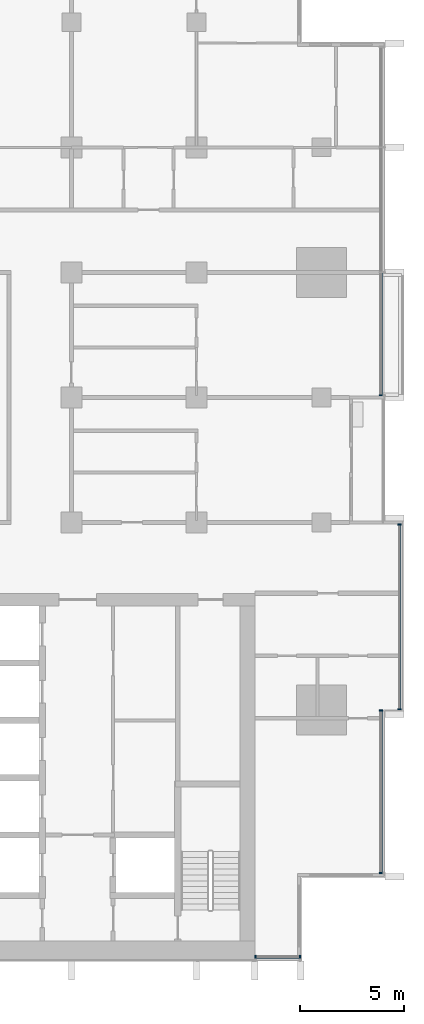
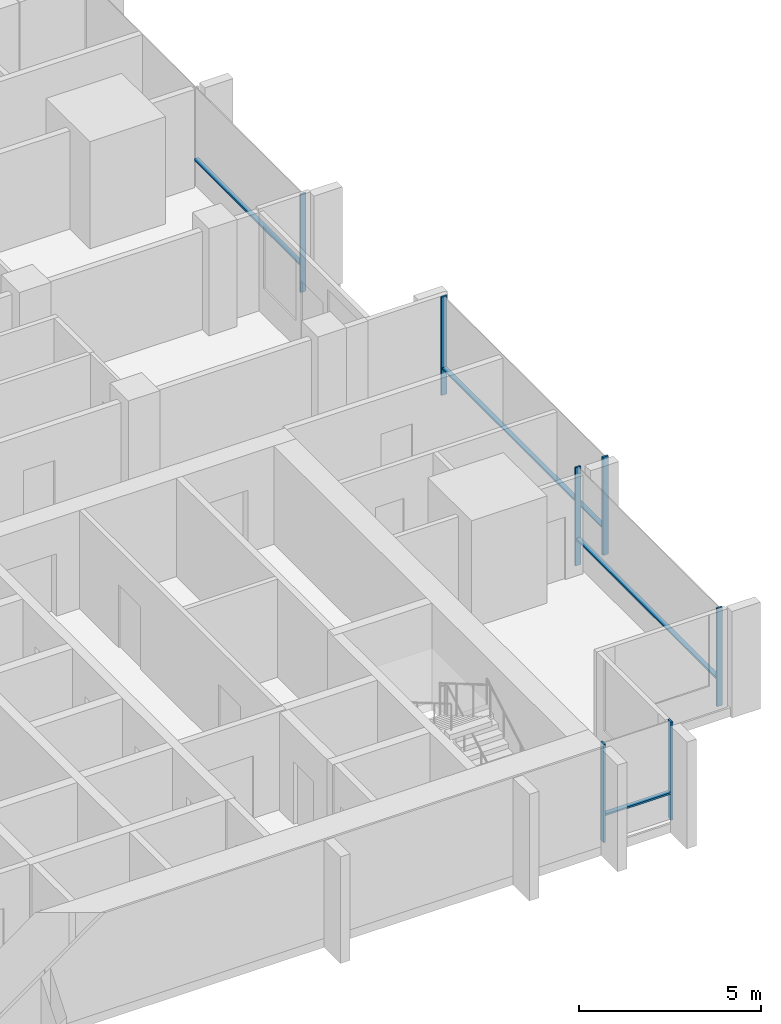
# One storey, part 3 of 16: 11 members, 4 elements without a shape of their own.
"""IFC4 building model written with IfcOpenShell, lengths in metres."""

import ifcopenshell
import ifcopenshell.guid

model = None  # the IFC model being written
_history = None  # IfcOwnerHistory: only IFC2X3 demands one
_inside = {}  # id of a spatial element -> (the spatial element, [elements in it])
_under = {}  # id of a project, library or spatial element -> (it, [spatial elements below it])
_declared = {}  # id of a project -> (the project, [libraries it declares])
_typed = {}  # id of a type object -> (the type object, [elements of that type])
_made_of = {}  # id of a material, layer set ... -> (it, [elements and type objects made of it])


def new_model(schema):
    """Start an empty IFC model of exactly this schema.

    Asked for "IFC4X3", IfcOpenShell would pick the latest addendum, in which some entities
    have other attributes; the version numbers below select the first issue.
    IFC2X3 requires an IfcOwnerHistory on every rooted entity: one is made here for all.
    """
    global model, _history
    if schema == "IFC4X3":
        model = ifcopenshell.file(schema_version=(4, 3, 0, 0))
    else:
        model = ifcopenshell.file(schema=schema)
    _inside.clear()
    _under.clear()
    _declared.clear()
    _typed.clear()
    _made_of.clear()
    _history = None
    if model.schema == "IFC2X3":
        org = make("IfcOrganization", Name="unknown")
        user = make(
            "IfcPersonAndOrganization",
            ThePerson=make("IfcPerson", FamilyName="unknown"),
            TheOrganization=org,
        )
        app = make(
            "IfcApplication",
            ApplicationDeveloper=org,
            Version="unknown",
            ApplicationFullName="unknown",
            ApplicationIdentifier="unknown",
        )
        _history = make(
            "IfcOwnerHistory",
            OwningUser=user,
            OwningApplication=app,
            ChangeAction="ADDED",
            CreationDate=0,
        )
    return model


def make(cls, **values):
    """One entity of the class cls with the attributes given. An attribute that is None is left unset."""
    return model.create_entity(
        cls, **{name: value for name, value in values.items() if value is not None}
    )


def rooted(cls, **values):
    """An entity with a GlobalId (a new one), such as an element, a storey or a relation."""
    return make(cls, GlobalId=ifcopenshell.guid.new(), OwnerHistory=_history, **values)


def si_unit(unit_type, name, prefix=None):
    """IfcSIUnit, for example si_unit("LENGTHUNIT", "METRE", prefix="MILLI")."""
    return make("IfcSIUnit", UnitType=unit_type, Prefix=prefix, Name=name)


def assignment(units):
    """IfcUnitAssignment: the units of a project."""
    return None if units is None else make("IfcUnitAssignment", Units=units)


def point(xyz):
    """IfcCartesianPoint."""
    return None if xyz is None else make("IfcCartesianPoint", Coordinates=xyz)


def direction(xyz):
    """IfcDirection."""
    return None if xyz is None else make("IfcDirection", DirectionRatios=xyz)


def frame(location, z_axis=None, x_axis=None):
    """IfcAxis2Placement3D, a coordinate frame: its origin and axes. An axis left out is left unset."""
    return make(
        "IfcAxis2Placement3D",
        Location=point(location),
        Axis=direction(z_axis),
        RefDirection=direction(x_axis),
    )


def frame_2d(location, x_axis=None):
    """IfcAxis2Placement2D, a coordinate frame in the plane: its origin and x axis."""
    return make(
        "IfcAxis2Placement2D", Location=point(location), RefDirection=direction(x_axis)
    )


def origin():
    """The frame at (0, 0, 0) with its axes left unset."""
    return frame((0.0, 0.0, 0.0))


def origin_2d():
    """The frame at (0, 0) in the plane with its x axis left unset."""
    return frame_2d((0.0, 0.0))


def place(relative_to, where):
    """IfcLocalPlacement: puts the frame where relative to a parent placement (None: the world)."""
    return make(
        "IfcLocalPlacement", PlacementRelTo=relative_to, RelativePlacement=where
    )


def context(
    kind, dimensions, precision=None, world=None, true_north=None, identifier=None
):
    """IfcGeometricRepresentationContext, for example the 3D "Model" context."""
    return make(
        "IfcGeometricRepresentationContext",
        ContextIdentifier=identifier,
        ContextType=kind,
        CoordinateSpaceDimension=dimensions,
        Precision=precision,
        WorldCoordinateSystem=world,
        TrueNorth=true_north,
    )


def subcontext(parent, identifier, kind, view, scale=None):
    """IfcGeometricRepresentationSubContext, for example "Body" below "Model"."""
    return make(
        "IfcGeometricRepresentationSubContext",
        ContextIdentifier=identifier,
        ContextType=kind,
        ParentContext=parent,
        TargetScale=scale,
        TargetView=view,
    )


def project(units=None, contexts=None):
    """IfcProject with its units and contexts."""
    return rooted(
        "IfcProject",
        Name="project",
        RepresentationContexts=contexts,
        UnitsInContext=assignment(units),
    )


def spatial(cls, under=None, at=None, **own):
    """A site, building, storey or space (cls), placed at a placement, below another one or the project."""
    s = rooted(cls, ObjectPlacement=at, **own)
    if under is not None:
        _under.setdefault(under.id(), (under, []))[1].append(s)
    return s


def profile(cls, at=None, kind="AREA", **sizes):
    """A parametric profile (cls). Its sizes go by their IFC names, for example OverallWidth=200.0."""
    return make(cls, ProfileType=kind, Position=at, **sizes)


def rectangle(**sizes):
    """IfcRectangleProfileDef."""
    return profile("IfcRectangleProfileDef", **sizes)


def extrude(swept, where, along, depth):
    """IfcExtrudedAreaSolid: the profile swept, set in the frame where, extruded along a direction by depth."""
    return make(
        "IfcExtrudedAreaSolid",
        SweptArea=swept,
        Position=where,
        ExtrudedDirection=direction(along),
        Depth=depth,
    )


def shape(context_of_items, identifier, shape_type, items):
    """IfcShapeRepresentation: the items that make up one representation, for example the "Body"."""
    return make(
        "IfcShapeRepresentation",
        ContextOfItems=context_of_items,
        RepresentationIdentifier=identifier,
        RepresentationType=shape_type,
        Items=items,
    )


def material(Name=None, Category=None):
    """IfcMaterial."""
    return make("IfcMaterial", Name=Name, Category=Category)


def material_profile(
    of_material, cross_section, Name=None, Category=None, Priority=None
):
    """IfcMaterialProfile: a cross section and its material."""
    return make(
        "IfcMaterialProfile",
        Name=Name,
        Material=of_material,
        Profile=cross_section,
        Priority=Priority,
        Category=Category,
    )


def profile_set(profiles, Name=None, composite=None):
    """IfcMaterialProfileSet."""
    return make(
        "IfcMaterialProfileSet",
        Name=Name,
        MaterialProfiles=profiles,
        CompositeProfile=composite,
    )


def made_of(thing, what):
    """Note that an element or type object is made of a material, layer set ...; save() writes the relation."""
    if what is not None:
        _made_of.setdefault(what.id(), (what, []))[1].append(thing)
    return thing


def type_object(cls, material=None, **own):
    """A type object (cls), such as IfcWallType, which elements share."""
    return made_of(rooted(cls, **own), material)


def element(
    cls,
    number,
    at=None,
    inside=None,
    cuts=None,
    type_object=None,
    material=None,
    context=None,
    identifier="Body",
    shape_type=None,
    held_by="IfcProductDefinitionShape",
    body=None,
    shapes=None,
    **own,
):
    """One element of the class cls, such as IfcWall. Its Tag is "e" and its number.

    at: its placement. inside: the storey or other place that contains it. cuts: it is an
    opening in that element (IfcRelVoidsElement). A single representation is given by context,
    identifier, shape_type and body (its items); several are given by shapes. held_by: the class
    of the entity that holds the representations. save() writes the other relations.
    """
    e = rooted(cls, Tag="e%d" % number, ObjectPlacement=at, **own)
    if body is not None:
        shapes = [shape(context, identifier, shape_type, body)]
    if shapes is not None:
        e.Representation = make(held_by, Representations=shapes)
    if inside is not None:
        _inside.setdefault(inside.id(), (inside, []))[1].append(e)
    if cuts is not None:
        rooted(
            "IfcRelVoidsElement", RelatingBuildingElement=cuts, RelatedOpeningElement=e
        )
    if type_object is not None:
        _typed.setdefault(type_object.id(), (type_object, []))[1].append(e)
    return made_of(e, material)


def aggregate(whole, parts):
    """IfcRelAggregates: a whole, such as a stair, and the parts it consists of."""
    return rooted("IfcRelAggregates", RelatingObject=whole, RelatedObjects=parts)


def save(model, path):
    """Write the relations noted so far, then the file.

    IfcRelAggregates (storeys below a building ...), IfcRelContainedInSpatialStructure (elements
    in a storey), IfcRelDefinesByType, IfcRelAssociatesMaterial and IfcRelDeclares: one each for
    every whole, place, type object, material and project.
    """
    for whole, parts in _under.values():
        aggregate(whole, parts)
    for where, things in _inside.values():
        rooted(
            "IfcRelContainedInSpatialStructure",
            RelatedElements=things,
            RelatingStructure=where,
        )
    for kind, things in _typed.values():
        rooted("IfcRelDefinesByType", RelatedObjects=things, RelatingType=kind)
    for what, things in _made_of.values():
        rooted("IfcRelAssociatesMaterial", RelatedObjects=things, RelatingMaterial=what)
    for by, libraries in _declared.values():
        rooted("IfcRelDeclares", RelatingContext=by, RelatedDefinitions=libraries)
    model.write(path)


model = new_model("IFC4")

# Units and contexts
model_context = context("Model", 3, precision=1e-05, world=origin(), true_north=direction((0.0, 1.0)))
body_context = subcontext(model_context, "Body", "Model", "MODEL_VIEW")
ifc_project = project(units=[si_unit("LENGTHUNIT", "METRE"), si_unit("AREAUNIT", "SQUARE_METRE"), si_unit("VOLUMEUNIT", "CUBIC_METRE"), si_unit("PLANEANGLEUNIT", "RADIAN"), si_unit("MASSUNIT", "GRAM", prefix="KILO")], contexts=[model_context])

# Site, building, storey
site_placement = place(None, origin())
site = spatial("IfcSite", under=ifc_project, at=site_placement, CompositionType="ELEMENT")
building_placement = place(site_placement, origin())
building = spatial("IfcBuilding", under=site, at=building_placement, Name="Finial Court Residences", CompositionType="ELEMENT")
storey_placement = place(building_placement, frame((0.0, 0.0, 163.699951171875)))
storey = spatial("IfcBuildingStorey", under=building, at=storey_placement, Name="L40", CompositionType="ELEMENT", Elevation=163.699951171875)

# Curtain wall, members
ifc_material = material(Name="Bronze anodised aluminium", Category="aluminium")
curtain_wall_type = type_object("IfcCurtainWallType", Name="Unitised curtain wall, upper zones", PredefinedType="NOTDEFINED", material=ifc_material)
curtain_wall_1_placement = place(storey_placement, origin())
curtain_wall_1 = element("IfcCurtainWall", 1, at=curtain_wall_1_placement, inside=storey, type_object=curtain_wall_type, Name="E-L40-CW-E4", PredefinedType="NOTDEFINED")
ifc_material_profile_1 = material_profile(ifc_material, rectangle(XDim=0.175048828125, YDim=0.06005859375, at=origin_2d()), Name="CW2 mullion 60 x 175")
ifc_profile_set_1 = profile_set([ifc_material_profile_1], Name="Bronze anodised aluminium")
member_type_1 = type_object("IfcMemberType", Name="CW2 mullion 60 x 175", PredefinedType="MULLION", material=ifc_profile_set_1)
member_1_placement = place(storey_placement, frame((19.35009765625, -21.320068359375, 0.0), z_axis=(0.0, 0.0, 1.0), x_axis=(-1.0, 0.0, 0.0)))
member_1 = element("IfcMember", 2, at=member_1_placement, type_object=member_type_1, Name="CW2 mullion 1", PredefinedType="MULLION", context=body_context, shape_type="SweptSolid", body=[
    extrude(rectangle(XDim=0.175048828125, YDim=0.06005859375, at=origin_2d()), origin(), (0.0, 0.0, 1.0), 3.300048828125),
])
member_2_placement = place(storey_placement, frame((19.35009765625, -13.530029296875, 0.0), z_axis=(0.0, 0.0, 1.0), x_axis=(-1.0, 0.0, 0.0)))
member_2 = element("IfcMember", 3, at=member_2_placement, type_object=member_type_1, Name="CW2 mullion 2", PredefinedType="MULLION", context=body_context, shape_type="SweptSolid", body=[
    extrude(rectangle(XDim=0.175048828125, YDim=0.06005859375, at=origin_2d()), origin(), (0.0, 0.0, 1.0), 3.300048828125),
])

curtain_wall_2_placement = place(storey_placement, origin())
curtain_wall_2 = element("IfcCurtainWall", 4, at=curtain_wall_2_placement, inside=storey, type_object=curtain_wall_type, Name="E-L40-CW-E5", PredefinedType="NOTDEFINED")
member_3_placement = place(storey_placement, frame((20.25, -13.469970703125, 0.0), z_axis=(0.0, 0.0, 1.0), x_axis=(-1.0, 0.0, 0.0)))
member_3 = element("IfcMember", 5, at=member_3_placement, type_object=member_type_1, Name="CW2 mullion 1", PredefinedType="MULLION", context=body_context, shape_type="SweptSolid", body=[
    extrude(rectangle(XDim=0.175048828125, YDim=0.06005859375, at=origin_2d()), origin(), (0.0, 0.0, 1.0), 3.300048828125),
])
member_4_placement = place(storey_placement, frame((20.25, -4.60498046875, 0.0), z_axis=(0.0, 0.0, 1.0), x_axis=(-1.0, 0.0, 0.0)))
member_4 = element("IfcMember", 6, at=member_4_placement, type_object=member_type_1, Name="CW2 mullion 2", PredefinedType="MULLION", context=body_context, shape_type="SweptSolid", body=[
    extrude(rectangle(XDim=0.175048828125, YDim=0.06005859375, at=origin_2d()), origin(), (0.0, 0.0, 1.0), 3.300048828125),
])

# Curtain wall, member
curtain_wall_3_placement = place(storey_placement, origin())
curtain_wall_3 = element("IfcCurtainWall", 7, at=curtain_wall_3_placement, inside=storey, type_object=curtain_wall_type, Name="E-L40-CW-E6", PredefinedType="NOTDEFINED")
member_5_placement = place(storey_placement, frame((19.35009765625, 1.60498046875, 0.0), z_axis=(0.0, 0.0, 1.0), x_axis=(-1.0, 0.0, 0.0)))
member_5 = element("IfcMember", 8, at=member_5_placement, type_object=member_type_1, Name="CW2 mullion 1", PredefinedType="MULLION", context=body_context, shape_type="SweptSolid", body=[
    extrude(rectangle(XDim=0.175048828125, YDim=0.06005859375, at=origin_2d()), origin(), (0.0, 0.0, 1.0), 3.300048828125),
])

# Curtain wall, members
curtain_wall_4_placement = place(storey_placement, origin())
curtain_wall_4 = element("IfcCurtainWall", 9, at=curtain_wall_4_placement, inside=storey, type_object=curtain_wall_type, Name="E-L40-CW-S8", PredefinedType="NOTDEFINED")
member_6_placement = place(storey_placement, frame((13.330078125, -25.35009765625, 0.0), z_axis=(0.0, 0.0, 1.0), x_axis=(0.0, 1.0, 0.0)))
member_6 = element("IfcMember", 10, at=member_6_placement, type_object=member_type_1, Name="CW2 mullion 1", PredefinedType="MULLION", context=body_context, shape_type="SweptSolid", body=[
    extrude(rectangle(XDim=0.175048828125, YDim=0.06005859375, at=origin_2d()), origin(), (0.0, 0.0, 1.0), 3.300048828125),
])
member_7_placement = place(storey_placement, frame((15.469970703125, -25.35009765625, 0.0), z_axis=(0.0, 0.0, 1.0), x_axis=(0.0, 1.0, 0.0)))
member_7 = element("IfcMember", 11, at=member_7_placement, type_object=member_type_1, Name="CW2 mullion 2", PredefinedType="MULLION", context=body_context, shape_type="SweptSolid", body=[
    extrude(rectangle(XDim=0.175048828125, YDim=0.06005859375, at=origin_2d()), origin(), (0.0, 0.0, 1.0), 3.300048828125),
])

# Member
ifc_material_profile_2 = material_profile(ifc_material, rectangle(XDim=0.139892578125, YDim=0.06005859375, at=origin_2d()), Name="CW2 transom 60 x 140")
ifc_profile_set_2 = profile_set([ifc_material_profile_2], Name="Bronze anodised aluminium")
member_type_2 = type_object("IfcMemberType", Name="CW2 transom 60 x 140", PredefinedType="USERDEFINED", material=ifc_profile_set_2)
member_8_placement = place(storey_placement, frame((19.35009765625, -21.2900390625, 0.900146484375), z_axis=(0.0, 1.0, 0.0), x_axis=(-1.0, 0.0, 0.0)))
member_8 = element("IfcMember", 12, at=member_8_placement, type_object=member_type_2, Name="CW2 transom 1.1", ObjectType="TRANSOM", PredefinedType="USERDEFINED", context=body_context, shape_type="SweptSolid", body=[
    extrude(rectangle(XDim=0.139892578125, YDim=0.06005859375, at=origin_2d()), origin(), (0.0, 0.0, 1.0), 7.72998046875),
])

aggregate(curtain_wall_1, [member_1, member_2, member_8])

member_9_placement = place(storey_placement, frame((20.25, -13.43994140625, 0.900146484375), z_axis=(0.0, 1.0, 0.0), x_axis=(-1.0, 0.0, 0.0)))
member_9 = element("IfcMember", 13, at=member_9_placement, type_object=member_type_2, Name="CW2 transom 1.1", ObjectType="TRANSOM", PredefinedType="USERDEFINED", context=body_context, shape_type="SweptSolid", body=[
    extrude(rectangle(XDim=0.139892578125, YDim=0.06005859375, at=origin_2d()), origin(), (0.0, 0.0, 1.0), 8.804931640625),
])

aggregate(curtain_wall_2, [member_3, member_4, member_9])

member_10_placement = place(storey_placement, frame((19.35009765625, 1.635009765625, 0.900146484375), z_axis=(0.0, 1.0, 0.0), x_axis=(-1.0, 0.0, 0.0)))
member_10 = element("IfcMember", 14, at=member_10_placement, type_object=member_type_2, Name="CW2 transom 1.1", ObjectType="TRANSOM", PredefinedType="USERDEFINED", context=body_context, shape_type="SweptSolid", body=[
    extrude(rectangle(XDim=0.139892578125, YDim=0.06005859375, at=origin_2d()), origin(), (0.0, 0.0, 1.0), 5.8349609375),
])

aggregate(curtain_wall_3, [member_5, member_10])

member_11_placement = place(storey_placement, frame((13.360107421875, -25.35009765625, 0.900146484375), z_axis=(1.0, 0.0, 0.0), x_axis=(0.0, 1.0, 0.0)))
member_11 = element("IfcMember", 15, at=member_11_placement, type_object=member_type_2, Name="CW2 transom 1.1", ObjectType="TRANSOM", PredefinedType="USERDEFINED", context=body_context, shape_type="SweptSolid", body=[
    extrude(rectangle(XDim=0.139892578125, YDim=0.06005859375, at=origin_2d()), origin(), (0.0, 0.0, 1.0), 2.079833984375),
])

aggregate(curtain_wall_4, [member_6, member_7, member_11])

save(model, "model.ifc")
